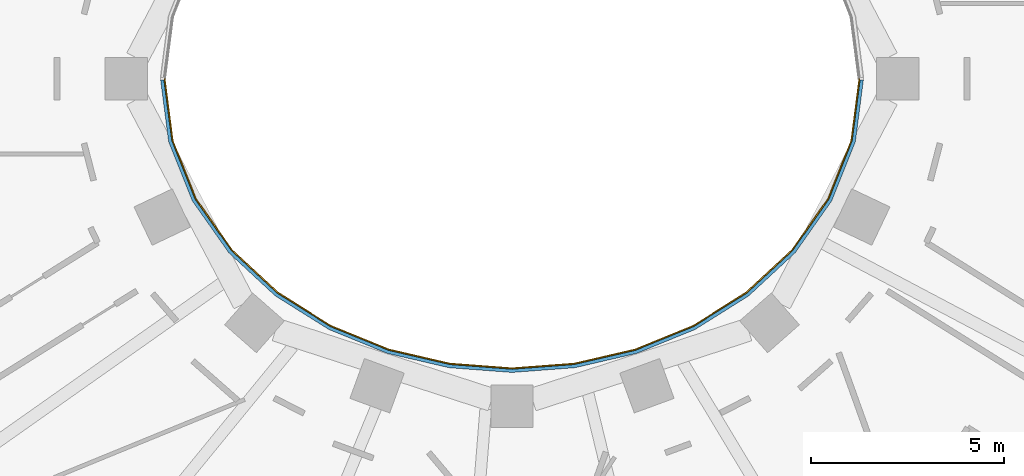
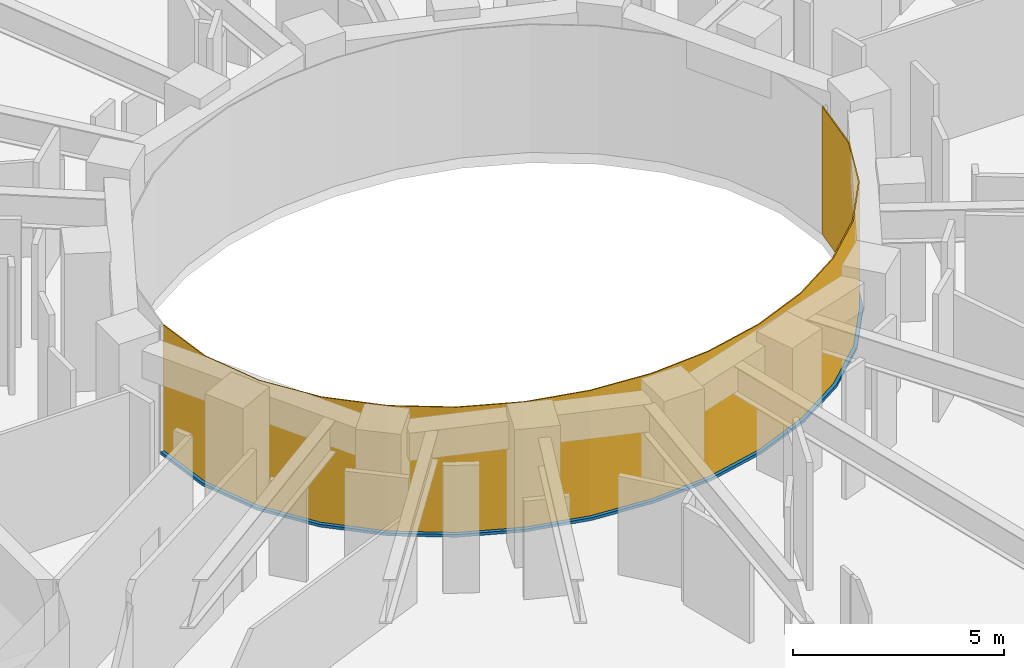
# One storey, part 10 of 19: 1 curtain wall, 1 member.
"""IFC4 building model written with IfcOpenShell, lengths in metres."""

from ifc_helpers import new_model, si_unit, direction, frame, origin, place, context, subcontext, project, spatial, polyline, outline, extrude, material, layer, layer_set, type_object, element, aggregate, save


model = new_model("IFC4")

# Units and contexts
model_context = context("Model", 3, precision=1e-05, world=origin(), true_north=direction((0.0, 1.0)))
body_context = subcontext(model_context, "Body", "Model", "MODEL_VIEW")
ifc_project = project(units=[si_unit("LENGTHUNIT", "METRE"), si_unit("AREAUNIT", "SQUARE_METRE"), si_unit("VOLUMEUNIT", "CUBIC_METRE"), si_unit("PLANEANGLEUNIT", "RADIAN"), si_unit("MASSUNIT", "GRAM", prefix="KILO")], contexts=[model_context])

# Member
ifc_material_1 = material(Name="Steel S355 fire-resisting frame", Category="steel")
member_type = type_object("IfcMemberType", Name="ENV-TRANSOM-W", PredefinedType="USERDEFINED", material=ifc_material_1)
site_placement = place(None, origin())
building_placement = place(site_placement, origin())
storey_placement = place(building_placement, frame((0.0, 0.0, 146.0)))
member_placement = place(storey_placement, origin())
member = element("IfcMember", 1, at=member_placement, type_object=member_type, Name="Transom W well 17-01", ObjectType="TRANSOM", PredefinedType="USERDEFINED", context=body_context, shape_type="SweptSolid", body=[
    extrude(outline(polyline([(-9.119384765625, -0.02783203125), (-8.910400390625, -1.63623046875), (-8.29833984375, -3.167236328125), (-7.35107421875, -4.5146484375), (-6.1455078125, -5.6337890625), (-4.75341796875, -6.50634765625), (-3.233642578125, -7.127685546875), (-1.635498046875, -7.498779296875), (0.0, -7.622314453125), (1.635498046875, -7.498779296875), (3.233642578125, -7.127685546875), (4.75341796875, -6.50634765625), (6.1455078125, -5.6337890625), (7.35107421875, -4.5146484375), (8.29833984375, -3.167236328125), (8.910400390625, -1.63623046875), (9.119384765625, -0.02783203125), (9.02880859375, -0.02783203125), (8.822509765625, -1.61328125), (8.21875, -3.124267578125), (7.282958984375, -4.455078125), (6.090576171875, -5.56201171875), (4.712158203125, -6.426025390625), (3.206298828125, -7.04150390625), (1.621826171875, -7.40966796875), (0.0, -7.531982421875), (-1.621826171875, -7.40966796875), (-3.206298828125, -7.04150390625), (-4.712158203125, -6.426025390625), (-6.090576171875, -5.56201171875), (-7.282958984375, -4.455078125), (-8.21875, -3.124267578125), (-8.822509765625, -1.61328125), (-9.02880859375, -0.02783203125), (-9.119384765625, -0.02783203125)])), origin(), (0.0, 0.0, 1.0), 0.080078125),
])

# Site, building, storey
site = spatial("IfcSite", under=ifc_project, at=site_placement, CompositionType="ELEMENT")
building = spatial("IfcBuilding", under=site, at=building_placement, Name="Noorbagh Ring Tower", CompositionType="ELEMENT")
storey = spatial("IfcBuildingStorey", under=building, at=storey_placement, Name="L33", CompositionType="ELEMENT", Elevation=146.0)

# Curtain wall
ifc_material_2 = material(Name="Glass fire-resisting E60 laminated", Category="glass")
ifc_layer = layer(ifc_material_2, 0.031982421875)
ifc_layer_set = layer_set([ifc_layer], Name="Glass fire-resisting E60 laminated")
curtain_wall_type = type_object("IfcCurtainWallType", Name="ENV-CW-W", PredefinedType="NOTDEFINED", material=ifc_layer_set)
curtain_wall_placement = place(storey_placement, origin())
curtain_wall = element("IfcCurtainWall", 2, at=curtain_wall_placement, inside=storey, type_object=curtain_wall_type, Name="Curtain wall W W17", PredefinedType="NOTDEFINED", context=body_context, shape_type="SweptSolid", body=[
    extrude(outline(polyline([(-9.0322265625, 0.0), (-8.822509765625, -1.61328125), (-8.21875, -3.124267578125), (-7.282958984375, -4.455078125), (-6.090576171875, -5.56201171875), (-4.712158203125, -6.426025390625), (-3.206298828125, -7.04150390625), (-1.621826171875, -7.40966796875), (0.0, -7.531982421875), (1.621826171875, -7.40966796875), (3.206298828125, -7.04150390625), (4.712158203125, -6.426025390625), (6.090576171875, -5.56201171875), (7.282958984375, -4.455078125), (8.21875, -3.124267578125), (8.822509765625, -1.61328125), (9.0322265625, 0.0), (9.0, 0.0), (8.79150390625, -1.605224609375), (8.1904296875, -3.10888671875), (7.2587890625, -4.43408203125), (6.071044921875, -5.53662109375), (4.697509765625, -6.3974609375), (3.196533203125, -7.010986328125), (1.6171875, -7.3779296875), (0.0, -7.5), (-1.6171875, -7.3779296875), (-3.196533203125, -7.010986328125), (-4.697509765625, -6.3974609375), (-6.071044921875, -5.53662109375), (-7.2587890625, -4.43408203125), (-8.1904296875, -3.10888671875), (-8.79150390625, -1.605224609375), (-9.0, 0.0), (-9.0322265625, 0.0)])), origin(), (0.0, 0.0, 1.0), 3.699951171875),
])

aggregate(curtain_wall, [member])

save(model, "model.ifc")
